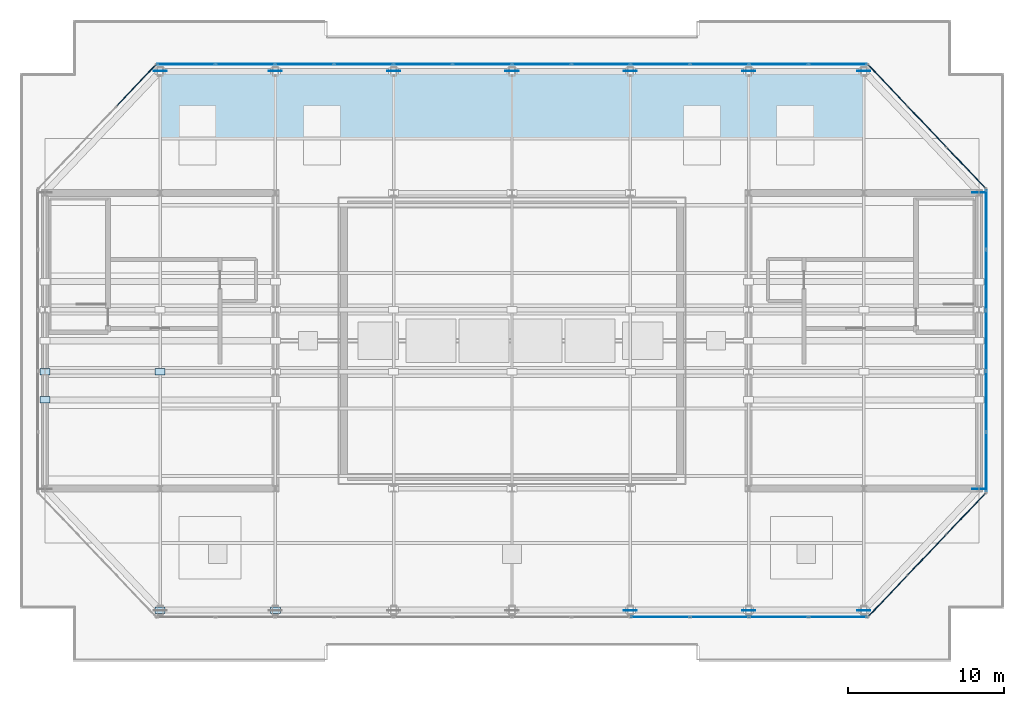
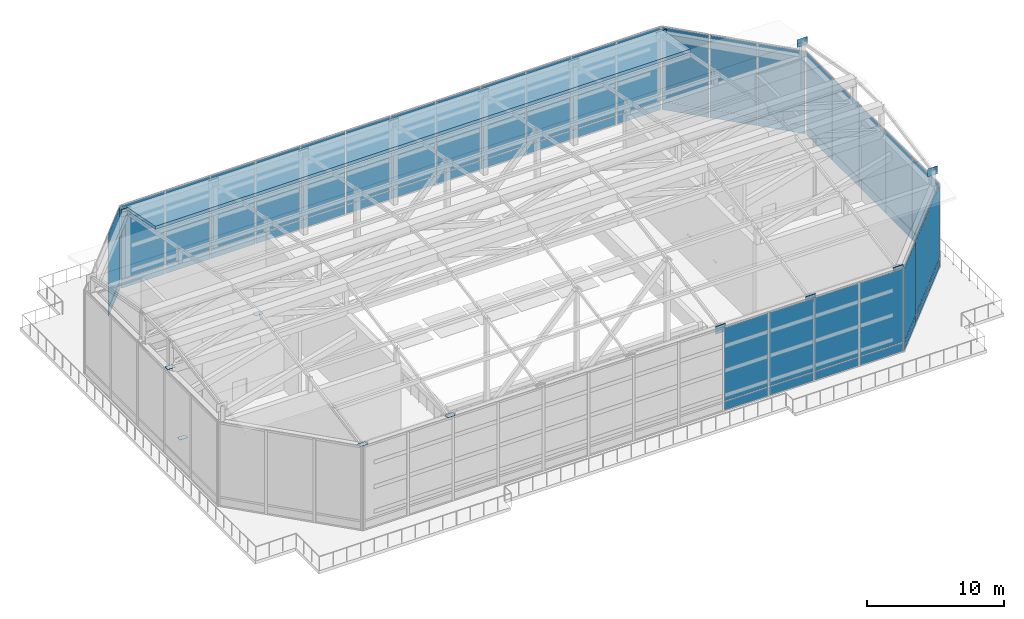
# One storey, part 22 of 25: 73 plates, 1 slab, 6 elements without a shape of their own.
"""IFC4 building model written with IfcOpenShell, lengths in metres."""

from ifc_helpers import new_model, si_unit, direction, frame, origin, origin_2d, place, context, subcontext, project, spatial, polyline, rectangle, outline, extrude, source, transform, mapped, material, layer, layer_set, type_object, type_shapes, element, aggregate, save


model = new_model("IFC4")

# Units and contexts
model_context = context("Model", 3, precision=1e-05, world=origin(), true_north=direction((0.0, 1.0)))
body_context = subcontext(model_context, "Body", "Model", "MODEL_VIEW")
ifc_project = project(units=[si_unit("LENGTHUNIT", "METRE"), si_unit("AREAUNIT", "SQUARE_METRE"), si_unit("VOLUMEUNIT", "CUBIC_METRE"), si_unit("PLANEANGLEUNIT", "RADIAN"), si_unit("MASSUNIT", "GRAM", prefix="KILO")], contexts=[model_context])

# Site, building, storey
site_placement = place(None, origin())
site = spatial("IfcSite", under=ifc_project, at=site_placement, CompositionType="ELEMENT")
building_placement = place(site_placement, origin())
building = spatial("IfcBuilding", under=site, at=building_placement, Name="Haelvirn Gate Laboratories", CompositionType="ELEMENT")
storey_placement = place(building_placement, frame((0.0, 0.0, 337.800048828125)))
storey = spatial("IfcBuildingStorey", under=building, at=storey_placement, Name="RF", CompositionType="ELEMENT", Elevation=337.800048828125)

# Slab
ifc_material_1 = material(Name="Concrete C40/50", Category="concrete")
ifc_layer_1 = layer(ifc_material_1, 0.260009765625, Name="SL-ROOF-260")
ifc_layer_set_1 = layer_set([ifc_layer_1], Name="Concrete C40/50")
slab_type = type_object("IfcSlabType", Name="SL-ROOF-260", PredefinedType="ROOF", material=ifc_layer_set_1)
slab_placement = place(storey_placement, frame((60.0, 41.60009765625, 7.599853515625), z_axis=(0.0, 0.187335065362, 0.982296072112), x_axis=(-1.0, 0.0, 0.0)))
element("IfcSlab", 1, at=slab_placement, inside=storey, type_object=slab_type, Name="RF Vaulted Ring-Crown Roof Slab North Strip 1", PredefinedType="ROOF", context=body_context, shape_type="SweptSolid", body=[
    extrude(outline(polyline([(0.0, 0.0), (45.199951171875, 0.0), (45.199951171875, 4.37744140625), (0.0, 4.37744140625), (0.0, 0.0)])), origin(), (0.0, 0.0, -1.0), 0.260009765625),
])

# Plates
ifc_material_2 = material(Name="Steel SM420", Category="steel")
ifc_layer_2 = layer(ifc_material_2, 0.028076171875, Name="PL-NODE-CN1")
ifc_layer_set_2 = layer_set([ifc_layer_2], Name="Steel SM420")
plate_type_1 = type_object("IfcPlateType", Name="PL-NODE-CN1", PredefinedType="USERDEFINED", material=ifc_layer_set_2)
shared_shape_1 = source(origin(), body_context, "Body", "SweptSolid", [
    extrude(rectangle(XDim=0.64990234375, YDim=0.419921875, at=origin_2d()), origin(), (0.0, 0.0, 1.0), 0.028076171875),
])
type_shapes(plate_type_1, [shared_shape_1])
for number, where, z_axis, x_axis, name in (
    (2, (14.800048828125, 7.0, 7.3359375), (0.0, 0.0, 1.0), (1.0, 0.0, 0.0), "RF Steel Truss Node Plate CN1"),
    (3, (22.199951171875, 7.0, 7.3359375), (0.0, 0.0, 1.0), (1.0, 0.0, 0.0), "RF Steel Truss Node Plate CN1"),
    (4, (7.39990234375, 20.5, 2.3359375), (0.0, 0.0, 1.0), (1.0, 0.0, 0.0), "RF Steel Truss Node Plate CN1"),
    (5, (7.39990234375, 22.300048828125, 7.5361328125), (0.0, 0.0, 1.0), (1.0, 0.0, 0.0), "RF Steel Truss Node Plate CN1"),
    (6, (14.800048828125, 22.300048828125, 9.7412109375), (0.0, 0.0, 1.0), (1.0, 0.0, 0.0), "RF Steel Truss Node Plate CN1"),
):
    element("IfcPlate", number, at=place(storey_placement, frame(where, z_axis=z_axis, x_axis=x_axis)), inside=storey, type_object=plate_type_1, Name=name, ObjectType="END_CAP_PLATE", PredefinedType="USERDEFINED", context=body_context, shape_type="MappedRepresentation", body=[
        mapped(shared_shape_1, transform((0.0, 0.0, 0.0), scale=1.0)),
    ])
ifc_layer_3 = layer(ifc_material_2, 0.030029296875, Name="PL-NODE-ON2")
ifc_layer_set_3 = layer_set([ifc_layer_3], Name="Steel SM420")
plate_type_2 = type_object("IfcPlateType", Name="PL-NODE-ON2", PredefinedType="USERDEFINED", material=ifc_layer_set_3)
shared_shape_2 = source(origin(), body_context, "Body", "SweptSolid", [
    extrude(rectangle(XDim=0.85009765625, YDim=0.030029296875, at=origin_2d()), origin(), (0.0, 0.0, 1.0), 0.699951171875),
])
type_shapes(plate_type_2, [shared_shape_2])
for number, where, z_axis, x_axis, name in (
    (7, (67.39990234375, 14.784912109375, 8.22119140625), (0.0, 0.0, 1.0), (1.0, 0.0, 0.0), "RF Steel Truss Node Plate ON2"),
    (8, (67.39990234375, 33.81494140625, 8.22119140625), (0.0, 0.0, 1.0), (1.0, 0.0, 0.0), "RF Steel Truss Node Plate ON2"),
    (9, (14.800048828125, 41.614990234375, 6.75), (0.0, 0.0, 1.0), (1.0, 0.0, 0.0), "RF Steel Truss Node Plate ON2"),
    (10, (22.199951171875, 41.614990234375, 6.75), (0.0, 0.0, 1.0), (1.0, 0.0, 0.0), "RF Steel Truss Node Plate ON2"),
    (11, (29.800048828125, 41.614990234375, 6.75), (0.0, 0.0, 1.0), (1.0, 0.0, 0.0), "RF Steel Truss Node Plate ON2"),
    (12, (37.39990234375, 41.614990234375, 6.75), (0.0, 0.0, 1.0), (1.0, 0.0, 0.0), "RF Steel Truss Node Plate ON2"),
    (13, (45.0, 6.985107421875, 6.75), (0.0, 0.0, 1.0), (1.0, 0.0, 0.0), "RF Steel Truss Node Plate ON2"),
    (14, (45.0, 41.614990234375, 6.75), (0.0, 0.0, 1.0), (1.0, 0.0, 0.0), "RF Steel Truss Node Plate ON2"),
    (15, (52.60009765625, 6.985107421875, 6.75), (0.0, 0.0, 1.0), (1.0, 0.0, 0.0), "RF Steel Truss Node Plate ON2"),
    (16, (52.60009765625, 41.614990234375, 6.75), (0.0, 0.0, 1.0), (1.0, 0.0, 0.0), "RF Steel Truss Node Plate ON2"),
    (17, (60.0, 6.985107421875, 6.75), (0.0, 0.0, 1.0), (1.0, 0.0, 0.0), "RF Steel Truss Node Plate ON2"),
    (18, (60.0, 41.614990234375, 6.75), (0.0, 0.0, 1.0), (1.0, 0.0, 0.0), "RF Steel Truss Node Plate ON2"),
):
    element("IfcPlate", number, at=place(storey_placement, frame(where, z_axis=z_axis, x_axis=x_axis)), inside=storey, type_object=plate_type_2, Name=name, ObjectType="GUSSET_PLATE", PredefinedType="USERDEFINED", context=body_context, shape_type="MappedRepresentation", body=[
        mapped(shared_shape_2, transform((0.0, 0.0, 0.0), scale=1.0)),
    ])

# Curtain wall, plate
ifc_material_3 = material(Name="Anodised bronze unitised aluminium & triple low-E glass", Category="aluminium")
ifc_layer_4 = layer(ifc_material_3, 0.19189453125, Name="CW-SYS-6")
ifc_layer_set_4 = layer_set([ifc_layer_4], Name="Anodised bronze unitised aluminium & triple low-E glass")
curtain_wall_type = type_object("IfcCurtainWallType", Name="CW-SYS-6", PredefinedType="NOTDEFINED", material=ifc_layer_set_4)
curtain_wall_1_placement = place(storey_placement, origin())
curtain_wall_1 = element("IfcCurtainWall", 19, at=curtain_wall_1_placement, inside=storey, type_object=curtain_wall_type, Name="RF Unitised Curtain Wall CW-RF-RING-00", PredefinedType="NOTDEFINED")
ifc_material_4 = material(Name="Ceramic-fritted bronze acoustic crown glazing 52 mm", Category="glass")
ifc_layer_5 = layer(ifc_material_4, 0.052001953125, Name="CWP-FRT-52")
ifc_layer_set_5 = layer_set([ifc_layer_5], Name="Ceramic-fritted bronze acoustic crown glazing 52 mm")
plate_type_3 = type_object("IfcPlateType", Name="CWP-FRT-52", PredefinedType="CURTAIN_PANEL", material=ifc_layer_set_5)
shared_shape_3 = source(origin(), body_context, "Body", "SweptSolid", [
    extrude(rectangle(XDim=3.688232421875, YDim=0.052001953125, at=origin_2d()), origin(), (0.0, 0.0, 1.0), 0.7451171875),
])
plate_1_placement = place(storey_placement, frame((58.325927734375, 6.550048828125, 0.06982421875), z_axis=(0.0, 0.0, 1.0), x_axis=(1.0, 0.0, 0.0)))
plate_1 = element("IfcPlate", 20, at=plate_1_placement, type_object=plate_type_3, Name="CW6 panel 12.1", PredefinedType="CURTAIN_PANEL", context=body_context, shape_type="MappedRepresentation", body=[
    mapped(shared_shape_3, transform((0.0, 0.0, 0.0), scale=1.0)),
])

# Curtain wall, plates
curtain_wall_2_placement = place(storey_placement, origin())
curtain_wall_2 = element("IfcCurtainWall", 21, at=curtain_wall_2_placement, inside=storey, type_object=curtain_wall_type, Name="RF Unitised Curtain Wall CW-RF-RING-04", PredefinedType="NOTDEFINED")
plate_2_placement = place(storey_placement, frame((58.325927734375, 42.050048828125, 0.06982421875), z_axis=(0.0, 0.0, 1.0), x_axis=(-1.0, 0.0, 0.0)))
plate_2 = element("IfcPlate", 22, at=plate_2_placement, type_object=plate_type_3, Name="CW6 panel 1.1", PredefinedType="CURTAIN_PANEL", context=body_context, shape_type="MappedRepresentation", body=[
    mapped(shared_shape_3, transform((0.0, 0.0, 0.0), scale=1.0)),
])
plate_3_placement = place(storey_placement, frame((16.47412109375, 42.050048828125, 0.06982421875), z_axis=(0.0, 0.0, 1.0), x_axis=(-1.0, 0.0, 0.0)))
plate_3 = element("IfcPlate", 23, at=plate_3_placement, type_object=plate_type_3, Name="CW6 panel 12.1", PredefinedType="CURTAIN_PANEL", context=body_context, shape_type="MappedRepresentation", body=[
    mapped(shared_shape_3, transform((0.0, 0.0, 0.0), scale=1.0)),
])

# Plate
shared_shape_4 = source(origin(), body_context, "Body", "SweptSolid", [
    extrude(rectangle(XDim=3.688232421875, YDim=0.052001953125, at=origin_2d()), origin(), (0.0, 0.0, 1.0), 6.544921875),
])
plate_4_placement = place(storey_placement, frame((58.325927734375, 6.550048828125, 0.885009765625), z_axis=(0.0, 0.0, 1.0), x_axis=(1.0, 0.0, 0.0)))
plate_4 = element("IfcPlate", 24, at=plate_4_placement, type_object=plate_type_3, Name="CW6 panel 12.2", PredefinedType="CURTAIN_PANEL", context=body_context, shape_type="MappedRepresentation", body=[
    mapped(shared_shape_4, transform((0.0, 0.0, 0.0), scale=1.0)),
])

plate_5_placement = place(storey_placement, frame((58.325927734375, 42.050048828125, 0.885009765625), z_axis=(0.0, 0.0, 1.0), x_axis=(-1.0, 0.0, 0.0)))
plate_5 = element("IfcPlate", 25, at=plate_5_placement, type_object=plate_type_3, Name="CW6 panel 1.2", PredefinedType="CURTAIN_PANEL", context=body_context, shape_type="MappedRepresentation", body=[
    mapped(shared_shape_4, transform((0.0, 0.0, 0.0), scale=1.0)),
])

plate_6_placement = place(storey_placement, frame((16.47412109375, 42.050048828125, 0.885009765625), z_axis=(0.0, 0.0, 1.0), x_axis=(-1.0, 0.0, 0.0)))
plate_6 = element("IfcPlate", 26, at=plate_6_placement, type_object=plate_type_3, Name="CW6 panel 12.2", PredefinedType="CURTAIN_PANEL", context=body_context, shape_type="MappedRepresentation", body=[
    mapped(shared_shape_4, transform((0.0, 0.0, 0.0), scale=1.0)),
])

shared_shape_5 = source(origin(), body_context, "Body", "SweptSolid", [
    extrude(rectangle(XDim=3.728271484375, YDim=0.052001953125, at=origin_2d()), origin(), (0.0, 0.0, 1.0), 0.7451171875),
])
plate_7_placement = place(storey_placement, frame((46.9208984375, 6.550048828125, 0.06982421875), z_axis=(0.0, 0.0, 1.0), x_axis=(1.0, 0.0, 0.0)))
plate_7 = element("IfcPlate", 27, at=plate_7_placement, type_object=plate_type_3, Name="CW6 panel 9.1", PredefinedType="CURTAIN_PANEL", context=body_context, shape_type="MappedRepresentation", body=[
    mapped(shared_shape_5, transform((0.0, 0.0, 0.0), scale=1.0)),
])

plate_8_placement = place(storey_placement, frame((50.729248046875, 6.550048828125, 0.06982421875), z_axis=(0.0, 0.0, 1.0), x_axis=(1.0, 0.0, 0.0)))
plate_8 = element("IfcPlate", 28, at=plate_8_placement, type_object=plate_type_3, Name="CW6 panel 10.1", PredefinedType="CURTAIN_PANEL", context=body_context, shape_type="MappedRepresentation", body=[
    mapped(shared_shape_5, transform((0.0, 0.0, 0.0), scale=1.0)),
])

plate_9_placement = place(storey_placement, frame((54.53759765625, 6.550048828125, 0.06982421875), z_axis=(0.0, 0.0, 1.0), x_axis=(1.0, 0.0, 0.0)))
plate_9 = element("IfcPlate", 29, at=plate_9_placement, type_object=plate_type_3, Name="CW6 panel 11.1", PredefinedType="CURTAIN_PANEL", context=body_context, shape_type="MappedRepresentation", body=[
    mapped(shared_shape_5, transform((0.0, 0.0, 0.0), scale=1.0)),
])

plate_10_placement = place(storey_placement, frame((54.53759765625, 42.050048828125, 0.06982421875), z_axis=(0.0, 0.0, 1.0), x_axis=(-1.0, 0.0, 0.0)))
plate_10 = element("IfcPlate", 30, at=plate_10_placement, type_object=plate_type_3, Name="CW6 panel 2.1", PredefinedType="CURTAIN_PANEL", context=body_context, shape_type="MappedRepresentation", body=[
    mapped(shared_shape_5, transform((0.0, 0.0, 0.0), scale=1.0)),
])

plate_11_placement = place(storey_placement, frame((50.729248046875, 42.050048828125, 0.06982421875), z_axis=(0.0, 0.0, 1.0), x_axis=(-1.0, 0.0, 0.0)))
plate_11 = element("IfcPlate", 31, at=plate_11_placement, type_object=plate_type_3, Name="CW6 panel 3.1", PredefinedType="CURTAIN_PANEL", context=body_context, shape_type="MappedRepresentation", body=[
    mapped(shared_shape_5, transform((0.0, 0.0, 0.0), scale=1.0)),
])

plate_12_placement = place(storey_placement, frame((46.9208984375, 42.050048828125, 0.06982421875), z_axis=(0.0, 0.0, 1.0), x_axis=(-1.0, 0.0, 0.0)))
plate_12 = element("IfcPlate", 32, at=plate_12_placement, type_object=plate_type_3, Name="CW6 panel 4.1", PredefinedType="CURTAIN_PANEL", context=body_context, shape_type="MappedRepresentation", body=[
    mapped(shared_shape_5, transform((0.0, 0.0, 0.0), scale=1.0)),
])

plate_13_placement = place(storey_placement, frame((43.112548828125, 42.050048828125, 0.06982421875), z_axis=(0.0, 0.0, 1.0), x_axis=(-1.0, 0.0, 0.0)))
plate_13 = element("IfcPlate", 33, at=plate_13_placement, type_object=plate_type_3, Name="CW6 panel 5.1", PredefinedType="CURTAIN_PANEL", context=body_context, shape_type="MappedRepresentation", body=[
    mapped(shared_shape_5, transform((0.0, 0.0, 0.0), scale=1.0)),
])

plate_14_placement = place(storey_placement, frame((39.30419921875, 42.050048828125, 0.06982421875), z_axis=(0.0, 0.0, 1.0), x_axis=(-1.0, 0.0, 0.0)))
plate_14 = element("IfcPlate", 34, at=plate_14_placement, type_object=plate_type_3, Name="CW6 panel 6.1", PredefinedType="CURTAIN_PANEL", context=body_context, shape_type="MappedRepresentation", body=[
    mapped(shared_shape_5, transform((0.0, 0.0, 0.0), scale=1.0)),
])

plate_15_placement = place(storey_placement, frame((35.495849609375, 42.050048828125, 0.06982421875), z_axis=(0.0, 0.0, 1.0), x_axis=(-1.0, 0.0, 0.0)))
plate_15 = element("IfcPlate", 35, at=plate_15_placement, type_object=plate_type_3, Name="CW6 panel 7.1", PredefinedType="CURTAIN_PANEL", context=body_context, shape_type="MappedRepresentation", body=[
    mapped(shared_shape_5, transform((0.0, 0.0, 0.0), scale=1.0)),
])

plate_16_placement = place(storey_placement, frame((31.6875, 42.050048828125, 0.06982421875), z_axis=(0.0, 0.0, 1.0), x_axis=(-1.0, 0.0, 0.0)))
plate_16 = element("IfcPlate", 36, at=plate_16_placement, type_object=plate_type_3, Name="CW6 panel 8.1", PredefinedType="CURTAIN_PANEL", context=body_context, shape_type="MappedRepresentation", body=[
    mapped(shared_shape_5, transform((0.0, 0.0, 0.0), scale=1.0)),
])

plate_17_placement = place(storey_placement, frame((27.879150390625, 42.050048828125, 0.06982421875), z_axis=(0.0, 0.0, 1.0), x_axis=(-1.0, 0.0, 0.0)))
plate_17 = element("IfcPlate", 37, at=plate_17_placement, type_object=plate_type_3, Name="CW6 panel 9.1", PredefinedType="CURTAIN_PANEL", context=body_context, shape_type="MappedRepresentation", body=[
    mapped(shared_shape_5, transform((0.0, 0.0, 0.0), scale=1.0)),
])

plate_18_placement = place(storey_placement, frame((24.07080078125, 42.050048828125, 0.06982421875), z_axis=(0.0, 0.0, 1.0), x_axis=(-1.0, 0.0, 0.0)))
plate_18 = element("IfcPlate", 38, at=plate_18_placement, type_object=plate_type_3, Name="CW6 panel 10.1", PredefinedType="CURTAIN_PANEL", context=body_context, shape_type="MappedRepresentation", body=[
    mapped(shared_shape_5, transform((0.0, 0.0, 0.0), scale=1.0)),
])

plate_19_placement = place(storey_placement, frame((20.262451171875, 42.050048828125, 0.06982421875), z_axis=(0.0, 0.0, 1.0), x_axis=(-1.0, 0.0, 0.0)))
plate_19 = element("IfcPlate", 39, at=plate_19_placement, type_object=plate_type_3, Name="CW6 panel 11.1", PredefinedType="CURTAIN_PANEL", context=body_context, shape_type="MappedRepresentation", body=[
    mapped(shared_shape_5, transform((0.0, 0.0, 0.0), scale=1.0)),
])

shared_shape_6 = source(origin(), body_context, "Body", "SweptSolid", [
    extrude(rectangle(XDim=3.728271484375, YDim=0.052001953125, at=origin_2d()), origin(), (0.0, 0.0, 1.0), 6.544921875),
])
plate_20_placement = place(storey_placement, frame((46.9208984375, 6.550048828125, 0.885009765625), z_axis=(0.0, 0.0, 1.0), x_axis=(1.0, 0.0, 0.0)))
plate_20 = element("IfcPlate", 40, at=plate_20_placement, type_object=plate_type_3, Name="CW6 panel 9.2", PredefinedType="CURTAIN_PANEL", context=body_context, shape_type="MappedRepresentation", body=[
    mapped(shared_shape_6, transform((0.0, 0.0, 0.0), scale=1.0)),
])

plate_21_placement = place(storey_placement, frame((50.729248046875, 6.550048828125, 0.885009765625), z_axis=(0.0, 0.0, 1.0), x_axis=(1.0, 0.0, 0.0)))
plate_21 = element("IfcPlate", 41, at=plate_21_placement, type_object=plate_type_3, Name="CW6 panel 10.2", PredefinedType="CURTAIN_PANEL", context=body_context, shape_type="MappedRepresentation", body=[
    mapped(shared_shape_6, transform((0.0, 0.0, 0.0), scale=1.0)),
])

plate_22_placement = place(storey_placement, frame((54.53759765625, 6.550048828125, 0.885009765625), z_axis=(0.0, 0.0, 1.0), x_axis=(1.0, 0.0, 0.0)))
plate_22 = element("IfcPlate", 42, at=plate_22_placement, type_object=plate_type_3, Name="CW6 panel 11.2", PredefinedType="CURTAIN_PANEL", context=body_context, shape_type="MappedRepresentation", body=[
    mapped(shared_shape_6, transform((0.0, 0.0, 0.0), scale=1.0)),
])

aggregate(curtain_wall_1, [plate_7, plate_20, plate_8, plate_21, plate_9, plate_22, plate_1, plate_4])

plate_23_placement = place(storey_placement, frame((54.53759765625, 42.050048828125, 0.885009765625), z_axis=(0.0, 0.0, 1.0), x_axis=(-1.0, 0.0, 0.0)))
plate_23 = element("IfcPlate", 43, at=plate_23_placement, type_object=plate_type_3, Name="CW6 panel 2.2", PredefinedType="CURTAIN_PANEL", context=body_context, shape_type="MappedRepresentation", body=[
    mapped(shared_shape_6, transform((0.0, 0.0, 0.0), scale=1.0)),
])

plate_24_placement = place(storey_placement, frame((50.729248046875, 42.050048828125, 0.885009765625), z_axis=(0.0, 0.0, 1.0), x_axis=(-1.0, 0.0, 0.0)))
plate_24 = element("IfcPlate", 44, at=plate_24_placement, type_object=plate_type_3, Name="CW6 panel 3.2", PredefinedType="CURTAIN_PANEL", context=body_context, shape_type="MappedRepresentation", body=[
    mapped(shared_shape_6, transform((0.0, 0.0, 0.0), scale=1.0)),
])

plate_25_placement = place(storey_placement, frame((46.9208984375, 42.050048828125, 0.885009765625), z_axis=(0.0, 0.0, 1.0), x_axis=(-1.0, 0.0, 0.0)))
plate_25 = element("IfcPlate", 45, at=plate_25_placement, type_object=plate_type_3, Name="CW6 panel 4.2", PredefinedType="CURTAIN_PANEL", context=body_context, shape_type="MappedRepresentation", body=[
    mapped(shared_shape_6, transform((0.0, 0.0, 0.0), scale=1.0)),
])

plate_26_placement = place(storey_placement, frame((43.112548828125, 42.050048828125, 0.885009765625), z_axis=(0.0, 0.0, 1.0), x_axis=(-1.0, 0.0, 0.0)))
plate_26 = element("IfcPlate", 46, at=plate_26_placement, type_object=plate_type_3, Name="CW6 panel 5.2", PredefinedType="CURTAIN_PANEL", context=body_context, shape_type="MappedRepresentation", body=[
    mapped(shared_shape_6, transform((0.0, 0.0, 0.0), scale=1.0)),
])

plate_27_placement = place(storey_placement, frame((39.30419921875, 42.050048828125, 0.885009765625), z_axis=(0.0, 0.0, 1.0), x_axis=(-1.0, 0.0, 0.0)))
plate_27 = element("IfcPlate", 47, at=plate_27_placement, type_object=plate_type_3, Name="CW6 panel 6.2", PredefinedType="CURTAIN_PANEL", context=body_context, shape_type="MappedRepresentation", body=[
    mapped(shared_shape_6, transform((0.0, 0.0, 0.0), scale=1.0)),
])

plate_28_placement = place(storey_placement, frame((35.495849609375, 42.050048828125, 0.885009765625), z_axis=(0.0, 0.0, 1.0), x_axis=(-1.0, 0.0, 0.0)))
plate_28 = element("IfcPlate", 48, at=plate_28_placement, type_object=plate_type_3, Name="CW6 panel 7.2", PredefinedType="CURTAIN_PANEL", context=body_context, shape_type="MappedRepresentation", body=[
    mapped(shared_shape_6, transform((0.0, 0.0, 0.0), scale=1.0)),
])

plate_29_placement = place(storey_placement, frame((31.6875, 42.050048828125, 0.885009765625), z_axis=(0.0, 0.0, 1.0), x_axis=(-1.0, 0.0, 0.0)))
plate_29 = element("IfcPlate", 49, at=plate_29_placement, type_object=plate_type_3, Name="CW6 panel 8.2", PredefinedType="CURTAIN_PANEL", context=body_context, shape_type="MappedRepresentation", body=[
    mapped(shared_shape_6, transform((0.0, 0.0, 0.0), scale=1.0)),
])

plate_30_placement = place(storey_placement, frame((27.879150390625, 42.050048828125, 0.885009765625), z_axis=(0.0, 0.0, 1.0), x_axis=(-1.0, 0.0, 0.0)))
plate_30 = element("IfcPlate", 50, at=plate_30_placement, type_object=plate_type_3, Name="CW6 panel 9.2", PredefinedType="CURTAIN_PANEL", context=body_context, shape_type="MappedRepresentation", body=[
    mapped(shared_shape_6, transform((0.0, 0.0, 0.0), scale=1.0)),
])

plate_31_placement = place(storey_placement, frame((24.07080078125, 42.050048828125, 0.885009765625), z_axis=(0.0, 0.0, 1.0), x_axis=(-1.0, 0.0, 0.0)))
plate_31 = element("IfcPlate", 51, at=plate_31_placement, type_object=plate_type_3, Name="CW6 panel 10.2", PredefinedType="CURTAIN_PANEL", context=body_context, shape_type="MappedRepresentation", body=[
    mapped(shared_shape_6, transform((0.0, 0.0, 0.0), scale=1.0)),
])

plate_32_placement = place(storey_placement, frame((20.262451171875, 42.050048828125, 0.885009765625), z_axis=(0.0, 0.0, 1.0), x_axis=(-1.0, 0.0, 0.0)))
plate_32 = element("IfcPlate", 52, at=plate_32_placement, type_object=plate_type_3, Name="CW6 panel 11.2", PredefinedType="CURTAIN_PANEL", context=body_context, shape_type="MappedRepresentation", body=[
    mapped(shared_shape_6, transform((0.0, 0.0, 0.0), scale=1.0)),
])

aggregate(curtain_wall_2, [plate_2, plate_5, plate_10, plate_23, plate_11, plate_24, plate_12, plate_25, plate_13, plate_26, plate_14, plate_27, plate_15, plate_28, plate_16, plate_29, plate_17, plate_30, plate_18, plate_31, plate_19, plate_32, plate_3, plate_6])

# Curtain wall, plates
curtain_wall_3_placement = place(storey_placement, origin())
curtain_wall_3 = element("IfcCurtainWall", 53, at=curtain_wall_3_placement, inside=storey, type_object=curtain_wall_type, Name="RF Unitised Curtain Wall CW-RF-RING-01", PredefinedType="NOTDEFINED")
shared_shape_7 = source(origin(), body_context, "Body", "SweptSolid", [
    extrude(rectangle(XDim=3.55810546875, YDim=0.052001953125, at=origin_2d()), origin(), (0.0, 0.0, 1.0), 0.7451171875),
])
plate_33_placement = place(storey_placement, frame((61.530517578125, 7.89794921875, 0.06982421875), z_axis=(0.0, 0.0, 1.0), x_axis=(0.68874946192, 0.72499943359, 0.0)))
plate_33 = element("IfcPlate", 54, at=plate_33_placement, type_object=plate_type_3, Name="CW6 panel 1.1", PredefinedType="CURTAIN_PANEL", context=body_context, shape_type="MappedRepresentation", body=[
    mapped(shared_shape_7, transform((0.0, 0.0, 0.0), scale=1.0)),
])
plate_34_placement = place(storey_placement, frame((66.569580078125, 13.2021484375, 0.06982421875), z_axis=(0.0, 0.0, 1.0), x_axis=(0.68874946192, 0.72499943359, 0.0)))
plate_34 = element("IfcPlate", 55, at=plate_34_placement, type_object=plate_type_3, Name="CW6 panel 3.1", PredefinedType="CURTAIN_PANEL", context=body_context, shape_type="MappedRepresentation", body=[
    mapped(shared_shape_7, transform((0.0, 0.0, 0.0), scale=1.0)),
])

curtain_wall_4_placement = place(storey_placement, origin())
curtain_wall_4 = element("IfcCurtainWall", 56, at=curtain_wall_4_placement, inside=storey, type_object=curtain_wall_type, Name="RF Unitised Curtain Wall CW-RF-RING-03", PredefinedType="NOTDEFINED")
plate_35_placement = place(storey_placement, frame((66.569580078125, 35.39794921875, 0.06982421875), z_axis=(0.0, 0.0, 1.0), x_axis=(-0.68874946192, 0.72499943359, 0.0)))
plate_35 = element("IfcPlate", 57, at=plate_35_placement, type_object=plate_type_3, Name="CW6 panel 1.1", PredefinedType="CURTAIN_PANEL", context=body_context, shape_type="MappedRepresentation", body=[
    mapped(shared_shape_7, transform((0.0, 0.0, 0.0), scale=1.0)),
])
plate_36_placement = place(storey_placement, frame((61.530517578125, 40.7021484375, 0.06982421875), z_axis=(0.0, 0.0, 1.0), x_axis=(-0.68874946192, 0.72499943359, 0.0)))
plate_36 = element("IfcPlate", 58, at=plate_36_placement, type_object=plate_type_3, Name="CW6 panel 3.1", PredefinedType="CURTAIN_PANEL", context=body_context, shape_type="MappedRepresentation", body=[
    mapped(shared_shape_7, transform((0.0, 0.0, 0.0), scale=1.0)),
])

# Curtain wall, plate
curtain_wall_5_placement = place(storey_placement, origin())
curtain_wall_5 = element("IfcCurtainWall", 59, at=curtain_wall_5_placement, inside=storey, type_object=curtain_wall_type, Name="RF Unitised Curtain Wall CW-RF-RING-05", PredefinedType="NOTDEFINED")
plate_37_placement = place(storey_placement, frame((13.26953125, 40.7021484375, 0.06982421875), z_axis=(0.0, 0.0, 1.0), x_axis=(-0.68874946192, -0.72499943359, 0.0)))
plate_37 = element("IfcPlate", 60, at=plate_37_placement, type_object=plate_type_3, Name="CW6 panel 1.1", PredefinedType="CURTAIN_PANEL", context=body_context, shape_type="MappedRepresentation", body=[
    mapped(shared_shape_7, transform((0.0, 0.0, 0.0), scale=1.0)),
])

# Plate
shared_shape_8 = source(origin(), body_context, "Body", "SweptSolid", [
    extrude(rectangle(XDim=3.55810546875, YDim=0.052001953125, at=origin_2d()), origin(), (0.0, 0.0, 1.0), 6.544921875),
])
plate_38_placement = place(storey_placement, frame((61.530517578125, 7.89794921875, 0.885009765625), z_axis=(0.0, 0.0, 1.0), x_axis=(0.68874946192, 0.72499943359, 0.0)))
plate_38 = element("IfcPlate", 61, at=plate_38_placement, type_object=plate_type_3, Name="CW6 panel 1.2", PredefinedType="CURTAIN_PANEL", context=body_context, shape_type="MappedRepresentation", body=[
    mapped(shared_shape_8, transform((0.0, 0.0, 0.0), scale=1.0)),
])

plate_39_placement = place(storey_placement, frame((66.569580078125, 13.2021484375, 0.885009765625), z_axis=(0.0, 0.0, 1.0), x_axis=(0.68874946192, 0.72499943359, 0.0)))
plate_39 = element("IfcPlate", 62, at=plate_39_placement, type_object=plate_type_3, Name="CW6 panel 3.2", PredefinedType="CURTAIN_PANEL", context=body_context, shape_type="MappedRepresentation", body=[
    mapped(shared_shape_8, transform((0.0, 0.0, 0.0), scale=1.0)),
])

plate_40_placement = place(storey_placement, frame((66.569580078125, 35.39794921875, 0.885009765625), z_axis=(0.0, 0.0, 1.0), x_axis=(-0.68874946192, 0.72499943359, 0.0)))
plate_40 = element("IfcPlate", 63, at=plate_40_placement, type_object=plate_type_3, Name="CW6 panel 1.2", PredefinedType="CURTAIN_PANEL", context=body_context, shape_type="MappedRepresentation", body=[
    mapped(shared_shape_8, transform((0.0, 0.0, 0.0), scale=1.0)),
])

plate_41_placement = place(storey_placement, frame((61.530517578125, 40.7021484375, 0.885009765625), z_axis=(0.0, 0.0, 1.0), x_axis=(-0.68874946192, 0.72499943359, 0.0)))
plate_41 = element("IfcPlate", 64, at=plate_41_placement, type_object=plate_type_3, Name="CW6 panel 3.2", PredefinedType="CURTAIN_PANEL", context=body_context, shape_type="MappedRepresentation", body=[
    mapped(shared_shape_8, transform((0.0, 0.0, 0.0), scale=1.0)),
])

plate_42_placement = place(storey_placement, frame((13.26953125, 40.7021484375, 0.885009765625), z_axis=(0.0, 0.0, 1.0), x_axis=(-0.68874946192, -0.72499943359, 0.0)))
plate_42 = element("IfcPlate", 65, at=plate_42_placement, type_object=plate_type_3, Name="CW6 panel 1.2", PredefinedType="CURTAIN_PANEL", context=body_context, shape_type="MappedRepresentation", body=[
    mapped(shared_shape_8, transform((0.0, 0.0, 0.0), scale=1.0)),
])

aggregate(curtain_wall_5, [plate_37, plate_42])

shared_shape_9 = source(origin(), body_context, "Body", "SweptSolid", [
    extrude(rectangle(XDim=3.59814453125, YDim=0.052001953125, at=origin_2d()), origin(), (0.0, 0.0, 1.0), 0.7451171875),
])
plate_43_placement = place(storey_placement, frame((64.050048828125, 10.550048828125, 0.06982421875), z_axis=(0.0, 0.0, 1.0), x_axis=(0.68874946192, 0.72499943359, 0.0)))
plate_43 = element("IfcPlate", 66, at=plate_43_placement, type_object=plate_type_3, Name="CW6 panel 2.1", PredefinedType="CURTAIN_PANEL", context=body_context, shape_type="MappedRepresentation", body=[
    mapped(shared_shape_9, transform((0.0, 0.0, 0.0), scale=1.0)),
])

plate_44_placement = place(storey_placement, frame((64.050048828125, 38.050048828125, 0.06982421875), z_axis=(0.0, 0.0, 1.0), x_axis=(-0.68874946192, 0.72499943359, 0.0)))
plate_44 = element("IfcPlate", 67, at=plate_44_placement, type_object=plate_type_3, Name="CW6 panel 2.1", PredefinedType="CURTAIN_PANEL", context=body_context, shape_type="MappedRepresentation", body=[
    mapped(shared_shape_9, transform((0.0, 0.0, 0.0), scale=1.0)),
])

shared_shape_10 = source(origin(), body_context, "Body", "SweptSolid", [
    extrude(rectangle(XDim=3.59814453125, YDim=0.052001953125, at=origin_2d()), origin(), (0.0, 0.0, 1.0), 6.544921875),
])
plate_45_placement = place(storey_placement, frame((64.050048828125, 10.550048828125, 0.885009765625), z_axis=(0.0, 0.0, 1.0), x_axis=(0.68874946192, 0.72499943359, 0.0)))
plate_45 = element("IfcPlate", 68, at=plate_45_placement, type_object=plate_type_3, Name="CW6 panel 2.2", PredefinedType="CURTAIN_PANEL", context=body_context, shape_type="MappedRepresentation", body=[
    mapped(shared_shape_10, transform((0.0, 0.0, 0.0), scale=1.0)),
])

aggregate(curtain_wall_3, [plate_33, plate_38, plate_43, plate_45, plate_34, plate_39])

plate_46_placement = place(storey_placement, frame((64.050048828125, 38.050048828125, 0.885009765625), z_axis=(0.0, 0.0, 1.0), x_axis=(-0.68874946192, 0.72499943359, 0.0)))
plate_46 = element("IfcPlate", 69, at=plate_46_placement, type_object=plate_type_3, Name="CW6 panel 2.2", PredefinedType="CURTAIN_PANEL", context=body_context, shape_type="MappedRepresentation", body=[
    mapped(shared_shape_10, transform((0.0, 0.0, 0.0), scale=1.0)),
])

aggregate(curtain_wall_4, [plate_35, plate_40, plate_44, plate_46, plate_36, plate_41])

# Curtain wall, plates
curtain_wall_6_placement = place(storey_placement, origin())
curtain_wall_6 = element("IfcCurtainWall", 70, at=curtain_wall_6_placement, inside=storey, type_object=curtain_wall_type, Name="RF Unitised Curtain Wall CW-RF-RING-02", PredefinedType="NOTDEFINED")
shared_shape_11 = source(origin(), body_context, "Body", "SweptSolid", [
    extrude(rectangle(XDim=3.780029296875, YDim=0.052001953125, at=origin_2d()), origin(), (0.0, 0.0, 1.0), 0.7451171875),
])
plate_47_placement = place(storey_placement, frame((67.85009765625, 16.52001953125, 0.06982421875), z_axis=(0.0, 0.0, 1.0), x_axis=(0.0, 1.0, 0.0)))
plate_47 = element("IfcPlate", 71, at=plate_47_placement, type_object=plate_type_3, Name="CW6 panel 1.1", PredefinedType="CURTAIN_PANEL", context=body_context, shape_type="MappedRepresentation", body=[
    mapped(shared_shape_11, transform((0.0, 0.0, 0.0), scale=1.0)),
])
plate_48_placement = place(storey_placement, frame((67.85009765625, 32.080078125, 0.06982421875), z_axis=(0.0, 0.0, 1.0), x_axis=(0.0, 1.0, 0.0)))
plate_48 = element("IfcPlate", 72, at=plate_48_placement, type_object=plate_type_3, Name="CW6 panel 5.1", PredefinedType="CURTAIN_PANEL", context=body_context, shape_type="MappedRepresentation", body=[
    mapped(shared_shape_11, transform((0.0, 0.0, 0.0), scale=1.0)),
])
shared_shape_12 = source(origin(), body_context, "Body", "SweptSolid", [
    extrude(rectangle(XDim=3.780029296875, YDim=0.052001953125, at=origin_2d()), origin(), (0.0, 0.0, 1.0), 6.544921875),
])
plate_49_placement = place(storey_placement, frame((67.85009765625, 16.52001953125, 0.885009765625), z_axis=(0.0, 0.0, 1.0), x_axis=(0.0, 1.0, 0.0)))
plate_49 = element("IfcPlate", 73, at=plate_49_placement, type_object=plate_type_3, Name="CW6 panel 1.2", PredefinedType="CURTAIN_PANEL", context=body_context, shape_type="MappedRepresentation", body=[
    mapped(shared_shape_12, transform((0.0, 0.0, 0.0), scale=1.0)),
])
plate_50_placement = place(storey_placement, frame((67.85009765625, 32.080078125, 0.885009765625), z_axis=(0.0, 0.0, 1.0), x_axis=(0.0, 1.0, 0.0)))
plate_50 = element("IfcPlate", 74, at=plate_50_placement, type_object=plate_type_3, Name="CW6 panel 5.2", PredefinedType="CURTAIN_PANEL", context=body_context, shape_type="MappedRepresentation", body=[
    mapped(shared_shape_12, transform((0.0, 0.0, 0.0), scale=1.0)),
])
shared_shape_13 = source(origin(), body_context, "Body", "SweptSolid", [
    extrude(rectangle(XDim=3.820068359375, YDim=0.052001953125, at=origin_2d()), origin(), (0.0, 0.0, 1.0), 0.7451171875),
])
plate_51_placement = place(storey_placement, frame((67.85009765625, 20.39990234375, 0.06982421875), z_axis=(0.0, 0.0, 1.0), x_axis=(0.0, 1.0, 0.0)))
plate_51 = element("IfcPlate", 75, at=plate_51_placement, type_object=plate_type_3, Name="CW6 panel 2.1", PredefinedType="CURTAIN_PANEL", context=body_context, shape_type="MappedRepresentation", body=[
    mapped(shared_shape_13, transform((0.0, 0.0, 0.0), scale=1.0)),
])
plate_52_placement = place(storey_placement, frame((67.85009765625, 24.300048828125, 0.06982421875), z_axis=(0.0, 0.0, 1.0), x_axis=(0.0, 1.0, 0.0)))
plate_52 = element("IfcPlate", 76, at=plate_52_placement, type_object=plate_type_3, Name="CW6 panel 3.1", PredefinedType="CURTAIN_PANEL", context=body_context, shape_type="MappedRepresentation", body=[
    mapped(shared_shape_13, transform((0.0, 0.0, 0.0), scale=1.0)),
])
plate_53_placement = place(storey_placement, frame((67.85009765625, 28.199951171875, 0.06982421875), z_axis=(0.0, 0.0, 1.0), x_axis=(0.0, 1.0, 0.0)))
plate_53 = element("IfcPlate", 77, at=plate_53_placement, type_object=plate_type_3, Name="CW6 panel 4.1", PredefinedType="CURTAIN_PANEL", context=body_context, shape_type="MappedRepresentation", body=[
    mapped(shared_shape_13, transform((0.0, 0.0, 0.0), scale=1.0)),
])
shared_shape_14 = source(origin(), body_context, "Body", "SweptSolid", [
    extrude(rectangle(XDim=3.820068359375, YDim=0.052001953125, at=origin_2d()), origin(), (0.0, 0.0, 1.0), 6.544921875),
])
type_shapes(plate_type_3, [shared_shape_3, shared_shape_4, shared_shape_5, shared_shape_6, shared_shape_7, shared_shape_8, shared_shape_9, shared_shape_10, shared_shape_11, shared_shape_12, shared_shape_13, shared_shape_14])
plate_54_placement = place(storey_placement, frame((67.85009765625, 20.39990234375, 0.885009765625), z_axis=(0.0, 0.0, 1.0), x_axis=(0.0, 1.0, 0.0)))
plate_54 = element("IfcPlate", 78, at=plate_54_placement, type_object=plate_type_3, Name="CW6 panel 2.2", PredefinedType="CURTAIN_PANEL", context=body_context, shape_type="MappedRepresentation", body=[
    mapped(shared_shape_14, transform((0.0, 0.0, 0.0), scale=1.0)),
])
plate_55_placement = place(storey_placement, frame((67.85009765625, 24.300048828125, 0.885009765625), z_axis=(0.0, 0.0, 1.0), x_axis=(0.0, 1.0, 0.0)))
plate_55 = element("IfcPlate", 79, at=plate_55_placement, type_object=plate_type_3, Name="CW6 panel 3.2", PredefinedType="CURTAIN_PANEL", context=body_context, shape_type="MappedRepresentation", body=[
    mapped(shared_shape_14, transform((0.0, 0.0, 0.0), scale=1.0)),
])
plate_56_placement = place(storey_placement, frame((67.85009765625, 28.199951171875, 0.885009765625), z_axis=(0.0, 0.0, 1.0), x_axis=(0.0, 1.0, 0.0)))
plate_56 = element("IfcPlate", 80, at=plate_56_placement, type_object=plate_type_3, Name="CW6 panel 4.2", PredefinedType="CURTAIN_PANEL", context=body_context, shape_type="MappedRepresentation", body=[
    mapped(shared_shape_14, transform((0.0, 0.0, 0.0), scale=1.0)),
])
aggregate(curtain_wall_6, [plate_47, plate_49, plate_51, plate_54, plate_52, plate_55, plate_53, plate_56, plate_48, plate_50])

save(model, "model.ifc")
